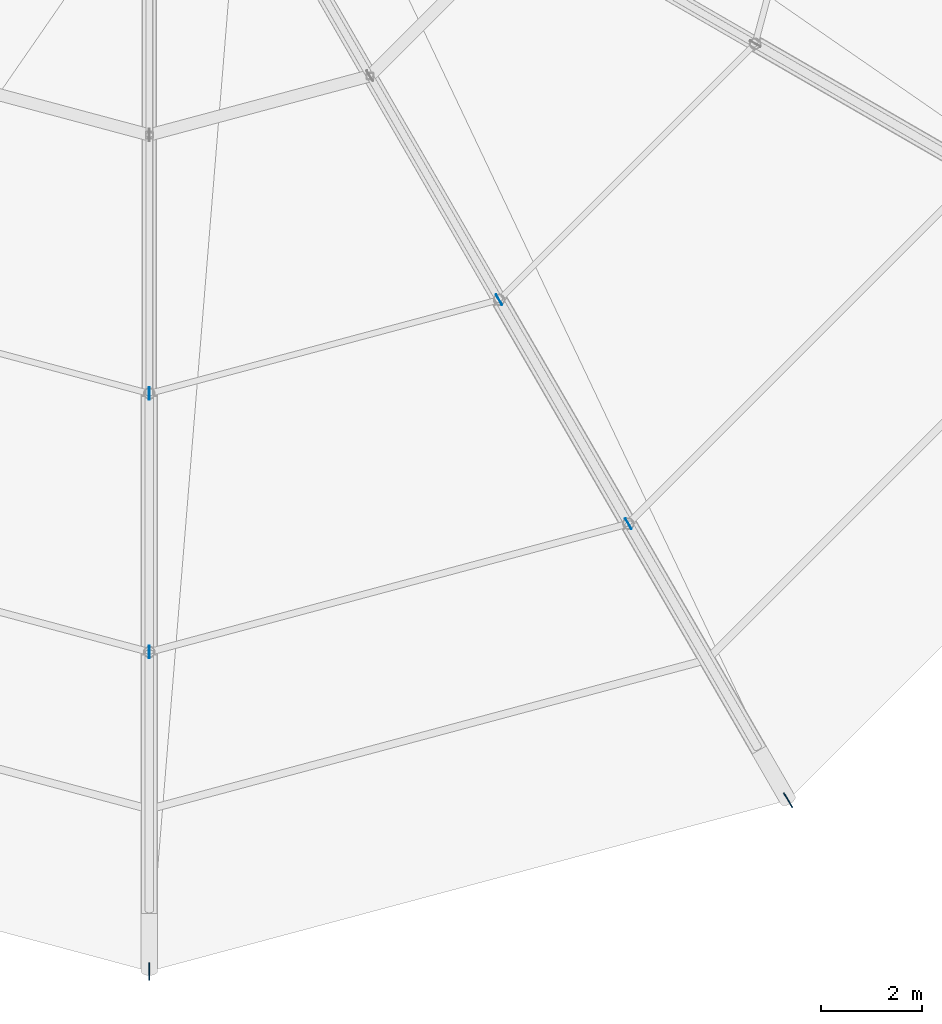
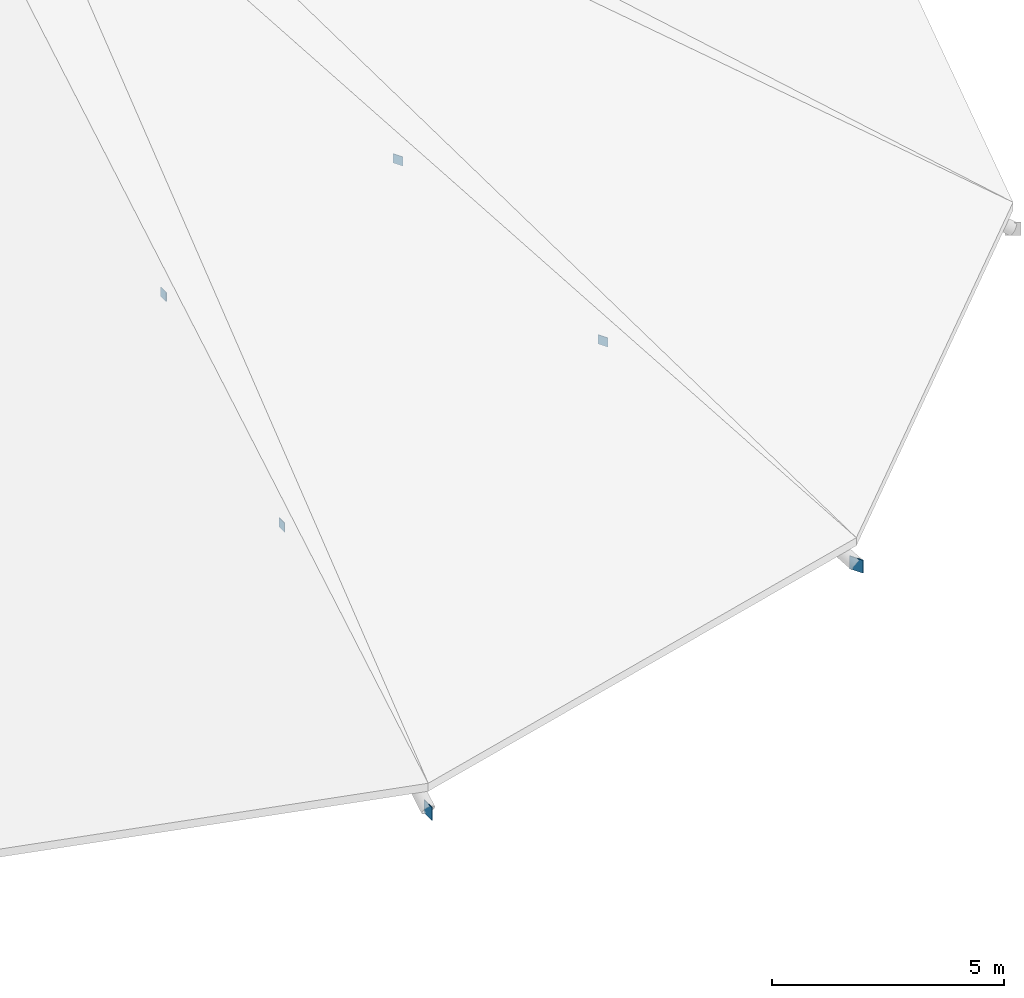
# One storey, part 40 of 58: 6 plates.
"""IFC4 building model written with IfcOpenShell, lengths in metres."""

from ifc_helpers import new_model, si_unit, derived_unit, direction, frame, origin, origin_2d, place, context, subcontext, project, spatial, rectangle, extrude, material, layer, layer_set, type_object, element, save


model = new_model("IFC4")

# Units and contexts
model_context = context("Model", 3, precision=1e-05, world=origin(), true_north=direction((0.0, 1.0)))
body_context = subcontext(model_context, "Body", "Model", "MODEL_VIEW")
ifc_project = project(units=[si_unit("LENGTHUNIT", "METRE"), si_unit("AREAUNIT", "SQUARE_METRE"), si_unit("VOLUMEUNIT", "CUBIC_METRE"), si_unit("PLANEANGLEUNIT", "RADIAN"), si_unit("MASSUNIT", "GRAM", prefix="KILO"), derived_unit("THERMALTRANSMITTANCEUNIT", [(si_unit("POWERUNIT", "WATT"), 1), (si_unit("AREAUNIT", "SQUARE_METRE"), -1), (si_unit("THERMODYNAMICTEMPERATUREUNIT", "KELVIN"), -1)])], contexts=[model_context])

# Site, building, storey
site_placement = place(None, origin())
site = spatial("IfcSite", under=ifc_project, at=site_placement, CompositionType="ELEMENT")
building_placement = place(site_placement, origin())
building = spatial("IfcBuilding", under=site, at=building_placement, Name="Yasenodar Specialist Clinic", CompositionType="ELEMENT")
storey_placement = place(building_placement, frame((0.0, 0.0, 21.300048828125)))
storey = spatial("IfcBuildingStorey", under=building, at=storey_placement, Name="L05", CompositionType="ELEMENT", Elevation=21.300048828125)

# Plates
ifc_material = material(Name="Steel S355", Category="steel")
ifc_layer_1 = layer(ifc_material, 0.02001953125)
ifc_layer_set_1 = layer_set([ifc_layer_1], Name="Steel S355")
plate_type_1 = type_object("IfcPlateType", Name="PL-STEEL-03", PredefinedType="SHEET", material=ifc_layer_set_1)
for number, where, z_axis, x_axis, name in (
    (1, (81.0, 33.60009765625, -0.8701171875), (0.0, 0.0, 1.0), (0.0, -1.0, 0.0), "L05 Hollow Section End-Cap Plate 0088"),
    (2, (93.60009765625, 36.976318359375, -0.8701171875), (0.0, 0.0, 1.0), (0.5, -0.866025403784, 0.0), "L05 Hollow Section End-Cap Plate 0093"),
):
    element("IfcPlate", number, at=place(storey_placement, frame(where, z_axis=z_axis, x_axis=x_axis)), inside=storey, type_object=plate_type_1, Name=name, PredefinedType="SHEET", context=body_context, shape_type="SweptSolid", body=[
        extrude(rectangle(XDim=0.340087890625, YDim=0.02001953125, at=origin_2d()), origin(), (0.0, 0.0, 1.0), 0.340087890625),
    ])
ifc_layer_2 = layer(ifc_material, 0.01611328125)
ifc_layer_set_2 = layer_set([ifc_layer_2], Name="Steel S355")
plate_type_2 = type_object("IfcPlateType", Name="PL-STEEL-05", PredefinedType="USERDEFINED", material=ifc_layer_set_2)
for number, where, z_axis, x_axis, name in (
    (3, (81.0, 39.89990234375, 2.85498046875), (0.0, 0.0, 1.0), (0.0, -1.0, 0.0), "L05 Hollow Section End-Cap Plate 0089"),
    (4, (81.0, 45.0, 5.830078125), (0.0, 0.0, 1.0), (0.0, -1.0, 0.0), "L05 Hollow Section End-Cap Plate 0090"),
    (5, (90.449951171875, 42.43212890625, 2.85498046875), (0.0, 0.0, 1.0), (0.5, -0.866025403784, 0.0), "L05 Hollow Section End-Cap Plate 0094"),
    (6, (87.89990234375, 46.848876953125, 5.830078125), (0.0, 0.0, 1.0), (0.5, -0.866025403784, 0.0), "L05 Hollow Section End-Cap Plate 0095"),
):
    element("IfcPlate", number, at=place(storey_placement, frame(where, z_axis=z_axis, x_axis=x_axis)), inside=storey, type_object=plate_type_2, Name=name, ObjectType="CAP_PLATE", PredefinedType="USERDEFINED", context=body_context, shape_type="SweptSolid", body=[
        extrude(rectangle(XDim=0.239990234375, YDim=0.01611328125, at=origin_2d()), origin(), (0.0, 0.0, 1.0), 0.239990234375),
    ])

save(model, "model.ifc")
